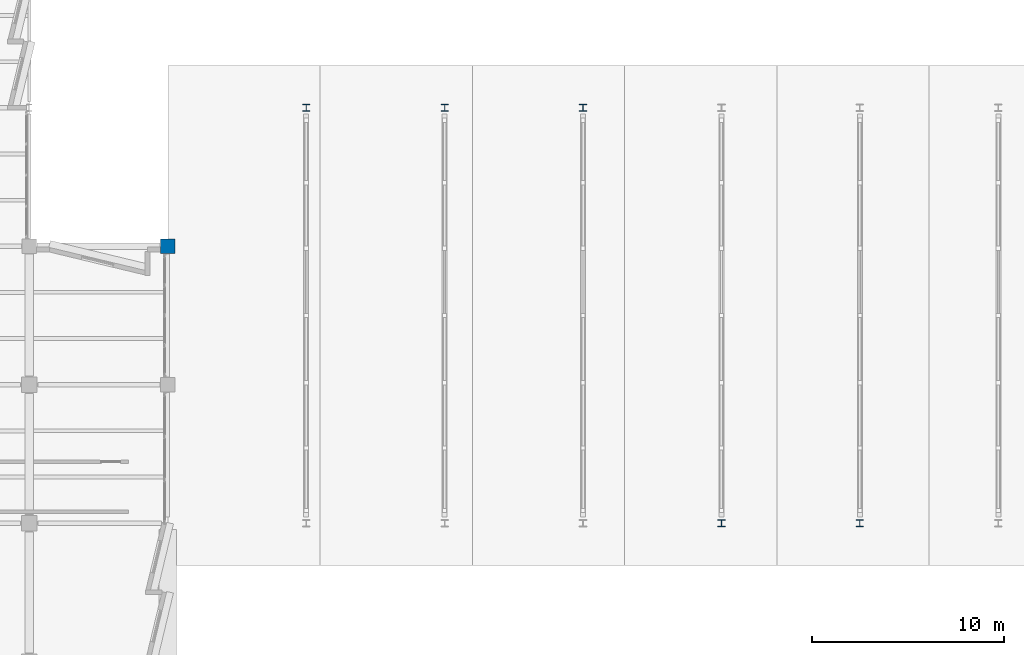
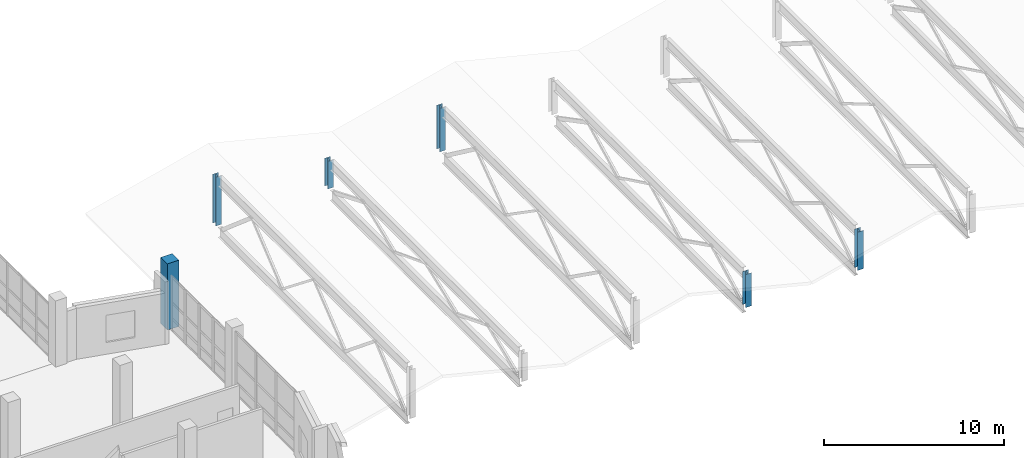
# One storey, part 4 of 123: 6 columns.
"""IFC4 building model written with IfcOpenShell, lengths in metres."""

from ifc_helpers import new_model, si_unit, direction, frame, origin, origin_2d, place, context, subcontext, project, spatial, rectangle, i_section, extrude, material, material_profile, profile_set, type_object, element, save


model = new_model("IFC4")

# Units and contexts
model_context = context("Model", 3, precision=1e-05, world=origin(), true_north=direction((0.0, 1.0)))
body_context = subcontext(model_context, "Body", "Model", "MODEL_VIEW")
ifc_project = project(units=[si_unit("LENGTHUNIT", "METRE"), si_unit("AREAUNIT", "SQUARE_METRE"), si_unit("VOLUMEUNIT", "CUBIC_METRE"), si_unit("PLANEANGLEUNIT", "RADIAN"), si_unit("MASSUNIT", "GRAM", prefix="KILO")], contexts=[model_context])

# Site, building, storey
site_placement = place(None, origin())
site = spatial("IfcSite", under=ifc_project, at=site_placement, CompositionType="ELEMENT")
building_placement = place(site_placement, origin())
building = spatial("IfcBuilding", under=site, at=building_placement, Name="Kalmorath City Hall", CompositionType="ELEMENT")
storey_placement = place(building_placement, frame((0.0, 0.0, 10.199951171875)))
storey = spatial("IfcBuildingStorey", under=building, at=storey_placement, Name="L02", CompositionType="ELEMENT", Elevation=10.199951171875)

# Columns
ifc_material_1 = material(Name="Concrete C50/60", Category="concrete")
ifc_material_profile_1 = material_profile(ifc_material_1, rectangle(XDim=0.75, YDim=0.75, at=origin_2d()), Name="RC-COL-750X750")
ifc_profile_set_1 = profile_set([ifc_material_profile_1], Name="Concrete C50/60")
column_type_1 = type_object("IfcColumnType", Name="Concrete column 750x750", PredefinedType="COLUMN", material=ifc_profile_set_1)
column_1_placement = place(storey_placement, frame((36.0, 36.0, 0.0), z_axis=(0.0, 0.0, 1.0), x_axis=(1.0, 0.0, 0.0)))
element("IfcColumn", 1, at=column_1_placement, inside=storey, type_object=column_type_1, Name="L02 column C3 (6/6)", PredefinedType="COLUMN", context=body_context, shape_type="SweptSolid", body=[
    extrude(rectangle(XDim=0.75, YDim=0.75, at=origin_2d()), origin(), (0.0, 0.0, 1.0), 4.5),
])
ifc_material_2 = material(Name="Steel ASTM A992 Grade 50", Category="steel")
ifc_material_profile_2 = material_profile(ifc_material_2, i_section(OverallWidth=0.368896484375, OverallDepth=0.35595703125, WebThickness=0.01123046875, FlangeThickness=0.01806640625, FilletRadius=0.01806640625, at=origin_2d()), Name="W14X90")
ifc_profile_set_2 = profile_set([ifc_material_profile_2], Name="Steel ASTM A992 Grade 50")
column_type_2 = type_object("IfcColumnType", Name="Steel wide-flange column W14X90", PredefinedType="COLUMN", material=ifc_profile_set_2)
column_2_placement = place(storey_placement, frame((43.199951171875, 43.199951171875, 0.0), z_axis=(0.0, 0.0, 1.0), x_axis=(1.0, 0.0, 0.0)))
element("IfcColumn", 2, at=column_2_placement, inside=storey, type_object=column_type_2, Name="L02 hall truss column SC3-1.6", PredefinedType="COLUMN", context=body_context, shape_type="SweptSolid", body=[
    extrude(i_section(OverallWidth=0.368896484375, OverallDepth=0.35595703125, WebThickness=0.01123046875, FlangeThickness=0.01806640625, FilletRadius=0.01806640625, at=origin_2d()), origin(), (0.0, 0.0, 1.0), 3.320068359375),
])
column_3_placement = place(storey_placement, frame((50.39990234375, 43.199951171875, 0.0), z_axis=(0.0, 0.0, 1.0), x_axis=(1.0, 0.0, 0.0)))
element("IfcColumn", 3, at=column_3_placement, inside=storey, type_object=column_type_2, Name="L02 hall truss column SC3-2.6", PredefinedType="COLUMN", context=body_context, shape_type="SweptSolid", body=[
    extrude(i_section(OverallWidth=0.368896484375, OverallDepth=0.35595703125, WebThickness=0.01123046875, FlangeThickness=0.01806640625, FilletRadius=0.01806640625, at=origin_2d()), origin(), (0.0, 0.0, 1.0), 1.880126953125),
])
column_4_placement = place(storey_placement, frame((57.60009765625, 43.199951171875, 0.0), z_axis=(0.0, 0.0, 1.0), x_axis=(1.0, 0.0, 0.0)))
element("IfcColumn", 4, at=column_4_placement, inside=storey, type_object=column_type_2, Name="L02 hall truss column SC3-3.6", PredefinedType="COLUMN", context=body_context, shape_type="SweptSolid", body=[
    extrude(i_section(OverallWidth=0.368896484375, OverallDepth=0.35595703125, WebThickness=0.01123046875, FlangeThickness=0.01806640625, FilletRadius=0.01806640625, at=origin_2d()), origin(), (0.0, 0.0, 1.0), 2.9599609375),
])
column_5_placement = place(storey_placement, frame((64.800048828125, 21.60009765625, 0.0), z_axis=(0.0, 0.0, 1.0), x_axis=(1.0, 0.0, 0.0)))
element("IfcColumn", 5, at=column_5_placement, inside=storey, type_object=column_type_2, Name="L02 hall truss column SC3-4.3", PredefinedType="COLUMN", context=body_context, shape_type="SweptSolid", body=[
    extrude(i_section(OverallWidth=0.368896484375, OverallDepth=0.35595703125, WebThickness=0.01123046875, FlangeThickness=0.01806640625, FilletRadius=0.01806640625, at=origin_2d()), origin(), (0.0, 0.0, 1.0), 2.239990234375),
])
column_6_placement = place(storey_placement, frame((72.0, 21.60009765625, 0.0), z_axis=(0.0, 0.0, 1.0), x_axis=(1.0, 0.0, 0.0)))
element("IfcColumn", 6, at=column_6_placement, inside=storey, type_object=column_type_2, Name="L02 hall truss column SC3-5.3", PredefinedType="COLUMN", context=body_context, shape_type="SweptSolid", body=[
    extrude(i_section(OverallWidth=0.368896484375, OverallDepth=0.35595703125, WebThickness=0.01123046875, FlangeThickness=0.01806640625, FilletRadius=0.01806640625, at=origin_2d()), origin(), (0.0, 0.0, 1.0), 2.60009765625),
])

save(model, "model.ifc")
